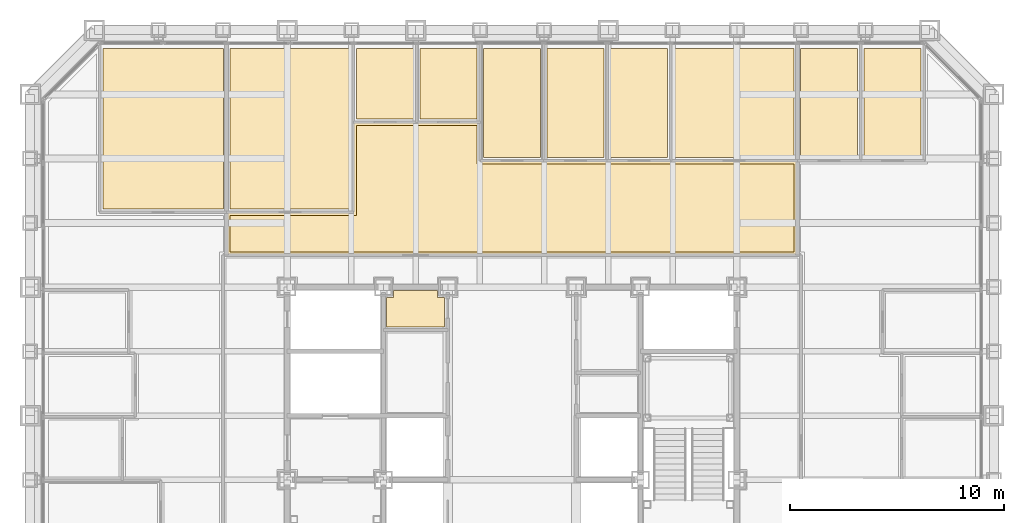
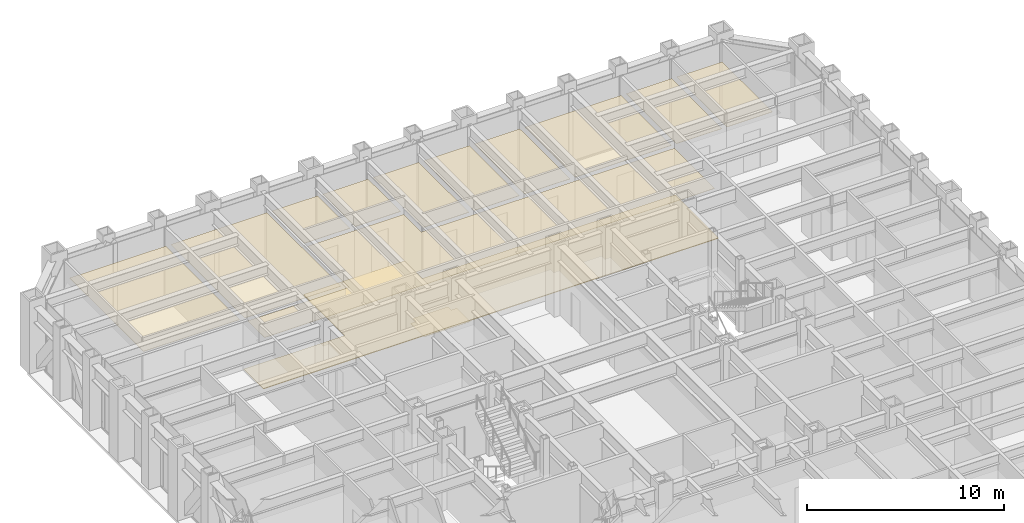
# One storey, part 16 of 16: 13 coverings.
"""IFC4 building model written with IfcOpenShell, lengths in metres."""

from ifc_helpers import new_model, si_unit, direction, frame, origin, place, context, subcontext, project, spatial, polyline, outline, extrude, material, layer, layer_set, type_object, element, save


model = new_model("IFC4")

# Units and contexts
model_context = context("Model", 3, precision=1e-05, world=origin(), true_north=direction((0.0, 1.0)))
body_context = subcontext(model_context, "Body", "Model", "MODEL_VIEW")
ifc_project = project(units=[si_unit("LENGTHUNIT", "METRE"), si_unit("AREAUNIT", "SQUARE_METRE"), si_unit("VOLUMEUNIT", "CUBIC_METRE"), si_unit("PLANEANGLEUNIT", "RADIAN"), si_unit("MASSUNIT", "GRAM", prefix="KILO")], contexts=[model_context])

# Site, building, storey
site_placement = place(None, origin())
site = spatial("IfcSite", under=ifc_project, at=site_placement, CompositionType="ELEMENT")
building_placement = place(site_placement, origin())
building = spatial("IfcBuilding", under=site, at=building_placement, Name="Chuquiago Exchange Tower", CompositionType="ELEMENT")
storey_placement = place(building_placement, frame((0.0, 0.0, 82.800048828125)))
storey = spatial("IfcBuildingStorey", under=building, at=storey_placement, Name="L17", CompositionType="ELEMENT", Elevation=82.800048828125)

# Coverings
ifc_material_1 = material(Name="Mineral fibre tile, 600 x 600, on pale metal grid", Category="mineral fibre")
ifc_layer_1 = layer(ifc_material_1, 0.02001953125)
ifc_layer_set_1 = layer_set([ifc_layer_1], Name="CL1 suspended tile ceiling 20")
covering_type_1 = type_object("IfcCoveringType", Name="CL1 suspended tile ceiling 20", PredefinedType="CEILING", material=ifc_layer_set_1)
covering_1_placement = place(storey_placement, frame((0.0, 0.0, 3.0)))
element("IfcCovering", 1, at=covering_1_placement, inside=storey, type_object=covering_type_1, Name="Ceiling Settlement office", PredefinedType="CEILING", context=body_context, shape_type="SweptSolid", body=[
    extrude(outline(polyline([(9.022216796875, 44.14990234375), (9.022216796875, 36.64990234375), (3.3984375, 36.64990234375), (3.3984375, 44.14990234375), (9.022216796875, 44.14990234375)])), origin(), (0.0, 0.0, 1.0), 0.02001953125),
])
covering_2_placement = place(storey_placement, frame((0.0, 0.0, 3.0)))
element("IfcCovering", 2, at=covering_2_placement, inside=storey, type_object=covering_type_1, Name="Ceiling Settlement office", PredefinedType="CEILING", context=body_context, shape_type="SweptSolid", body=[
    extrude(outline(polyline([(14.945556640625, 36.64990234375), (9.322021484375, 36.64990234375), (9.322021484375, 44.14990234375), (14.945556640625, 44.14990234375), (14.945556640625, 36.64990234375)])), origin(), (0.0, 0.0, 1.0), 0.02001953125),
])
covering_3_placement = place(storey_placement, frame((0.0, 0.0, 3.0)))
element("IfcCovering", 3, at=covering_3_placement, inside=storey, type_object=covering_type_1, Name="Ceiling Focus room", PredefinedType="CEILING", context=body_context, shape_type="SweptSolid", body=[
    extrude(outline(polyline([(17.907470703125, 40.85009765625), (15.24560546875, 40.85009765625), (15.24560546875, 44.14990234375), (17.907470703125, 44.14990234375), (17.907470703125, 40.85009765625)])), origin(), (0.0, 0.0, 1.0), 0.02001953125),
])
covering_4_placement = place(storey_placement, frame((0.0, 0.0, 3.0)))
element("IfcCovering", 4, at=covering_4_placement, inside=storey, type_object=covering_type_1, Name="Ceiling Focus room", PredefinedType="CEILING", context=body_context, shape_type="SweptSolid", body=[
    extrude(outline(polyline([(20.869140625, 40.85009765625), (18.20751953125, 40.85009765625), (18.20751953125, 44.14990234375), (20.869140625, 44.14990234375), (20.869140625, 40.85009765625)])), origin(), (0.0, 0.0, 1.0), 0.02001953125),
])
covering_5_placement = place(storey_placement, frame((0.0, 0.0, 3.0)))
element("IfcCovering", 5, at=covering_5_placement, inside=storey, type_object=covering_type_1, Name="Ceiling Office", PredefinedType="CEILING", context=body_context, shape_type="SweptSolid", body=[
    extrude(outline(polyline([(23.830810546875, 39.050048828125), (21.169189453125, 39.050048828125), (21.169189453125, 44.14990234375), (23.830810546875, 44.14990234375), (23.830810546875, 39.050048828125)])), origin(), (0.0, 0.0, 1.0), 0.02001953125),
])
covering_6_placement = place(storey_placement, frame((0.0, 0.0, 3.0)))
element("IfcCovering", 6, at=covering_6_placement, inside=storey, type_object=covering_type_1, Name="Ceiling Office", PredefinedType="CEILING", context=body_context, shape_type="SweptSolid", body=[
    extrude(outline(polyline([(26.79248046875, 39.050048828125), (24.130859375, 39.050048828125), (24.130859375, 44.14990234375), (26.79248046875, 44.14990234375), (26.79248046875, 39.050048828125)])), origin(), (0.0, 0.0, 1.0), 0.02001953125),
])
covering_7_placement = place(storey_placement, frame((0.0, 0.0, 3.0)))
element("IfcCovering", 7, at=covering_7_placement, inside=storey, type_object=covering_type_1, Name="Ceiling Office", PredefinedType="CEILING", context=body_context, shape_type="SweptSolid", body=[
    extrude(outline(polyline([(29.75439453125, 39.050048828125), (27.092529296875, 39.050048828125), (27.092529296875, 44.14990234375), (29.75439453125, 44.14990234375), (29.75439453125, 39.050048828125)])), origin(), (0.0, 0.0, 1.0), 0.02001953125),
])
covering_8_placement = place(storey_placement, frame((0.0, 0.0, 3.0)))
element("IfcCovering", 8, at=covering_8_placement, inside=storey, type_object=covering_type_1, Name="Ceiling Meeting room", PredefinedType="CEILING", context=body_context, shape_type="SweptSolid", body=[
    extrude(outline(polyline([(35.677978515625, 39.050048828125), (30.054443359375, 39.050048828125), (30.054443359375, 44.14990234375), (35.677978515625, 44.14990234375), (35.677978515625, 39.050048828125)])), origin(), (0.0, 0.0, 1.0), 0.02001953125),
])
covering_9_placement = place(storey_placement, frame((0.0, 0.0, 3.0)))
element("IfcCovering", 9, at=covering_9_placement, inside=storey, type_object=covering_type_1, Name="Ceiling Office", PredefinedType="CEILING", context=body_context, shape_type="SweptSolid", body=[
    extrude(outline(polyline([(38.6396484375, 39.050048828125), (35.977783203125, 39.050048828125), (35.977783203125, 44.14990234375), (38.6396484375, 44.14990234375), (38.6396484375, 39.050048828125)])), origin(), (0.0, 0.0, 1.0), 0.02001953125),
])
covering_10_placement = place(storey_placement, frame((0.0, 0.0, 3.0)))
element("IfcCovering", 10, at=covering_10_placement, inside=storey, type_object=covering_type_1, Name="Ceiling Office", PredefinedType="CEILING", context=body_context, shape_type="SweptSolid", body=[
    extrude(outline(polyline([(41.6015625, 39.050048828125), (38.939697265625, 39.050048828125), (38.939697265625, 44.14990234375), (41.6015625, 44.14990234375), (41.6015625, 39.050048828125)])), origin(), (0.0, 0.0, 1.0), 0.02001953125),
])
covering_11_placement = place(storey_placement, frame((0.0, 0.0, 3.0)))
element("IfcCovering", 11, at=covering_11_placement, inside=storey, type_object=covering_type_1, Name="Ceiling Trading floor north suite", PredefinedType="CEILING", context=body_context, shape_type="SweptSolid", body=[
    extrude(outline(polyline([(15.24560546875, 40.550048828125), (20.869140625, 40.550048828125), (20.869140625, 38.75), (35.677490234375, 38.75), (35.677490234375, 34.650390625), (9.322509765625, 34.650390625), (9.322509765625, 36.35009765625), (15.24560546875, 36.35009765625), (15.24560546875, 40.550048828125)])), origin(), (0.0, 0.0, 1.0), 0.02001953125),
])
ifc_material_2 = material(Name="Moisture resistant plasterboard on metal frame", Category="gypsum")
ifc_layer_2 = layer(ifc_material_2, 0.014892578125)
ifc_layer_set_2 = layer_set([ifc_layer_2], Name="CL2 moisture resistant ceiling 15")
covering_type_2 = type_object("IfcCoveringType", Name="CL2 moisture resistant ceiling 15", PredefinedType="CEILING", material=ifc_layer_set_2)
covering_12_placement = place(storey_placement, frame((0.0, 0.0, 2.599853515625)))
element("IfcCovering", 12, at=covering_12_placement, inside=storey, type_object=covering_type_2, Name="Ceiling Staff shower room", PredefinedType="CEILING", context=body_context, shape_type="SweptSolid", body=[
    extrude(outline(polyline([(16.64990234375, 31.14990234375), (16.64990234375, 32.52490234375), (16.97509765625, 32.52490234375), (16.97509765625, 32.85009765625), (19.02490234375, 32.85009765625), (19.02490234375, 32.52490234375), (19.35009765625, 32.52490234375), (19.35009765625, 31.14990234375), (16.64990234375, 31.14990234375)])), origin(), (0.0, 0.0, 1.0), 0.01513671875),
])
ifc_material_3 = material(Name="Steel raised floor panel", Category="steel")
ifc_layer_3 = layer(ifc_material_3, 0.0400390625)
ifc_layer_set_3 = layer_set([ifc_layer_3], Name="RF1 raised access floor 40")
covering_type_3 = type_object("IfcCoveringType", Name="RF1 raised access floor 40", PredefinedType="FLOORING", material=ifc_layer_set_3)
covering_13_placement = place(storey_placement, frame((0.0, 0.0, -0.0400390625)))
element("IfcCovering", 13, at=covering_13_placement, inside=storey, type_object=covering_type_3, Name="Raised access floor Trading floor north suite", PredefinedType="FLOORING", context=body_context, shape_type="SweptSolid", body=[
    extrude(outline(polyline([(15.095703125, 36.5), (15.095703125, 40.699951171875), (21.01904296875, 40.699951171875), (21.01904296875, 38.89990234375), (35.827392578125, 38.89990234375), (35.827392578125, 34.50048828125), (9.172607421875, 34.50048828125), (9.172607421875, 36.5), (15.095703125, 36.5)])), origin(), (0.0, 0.0, 1.0), 0.0400390625),
])

save(model, "model.ifc")
